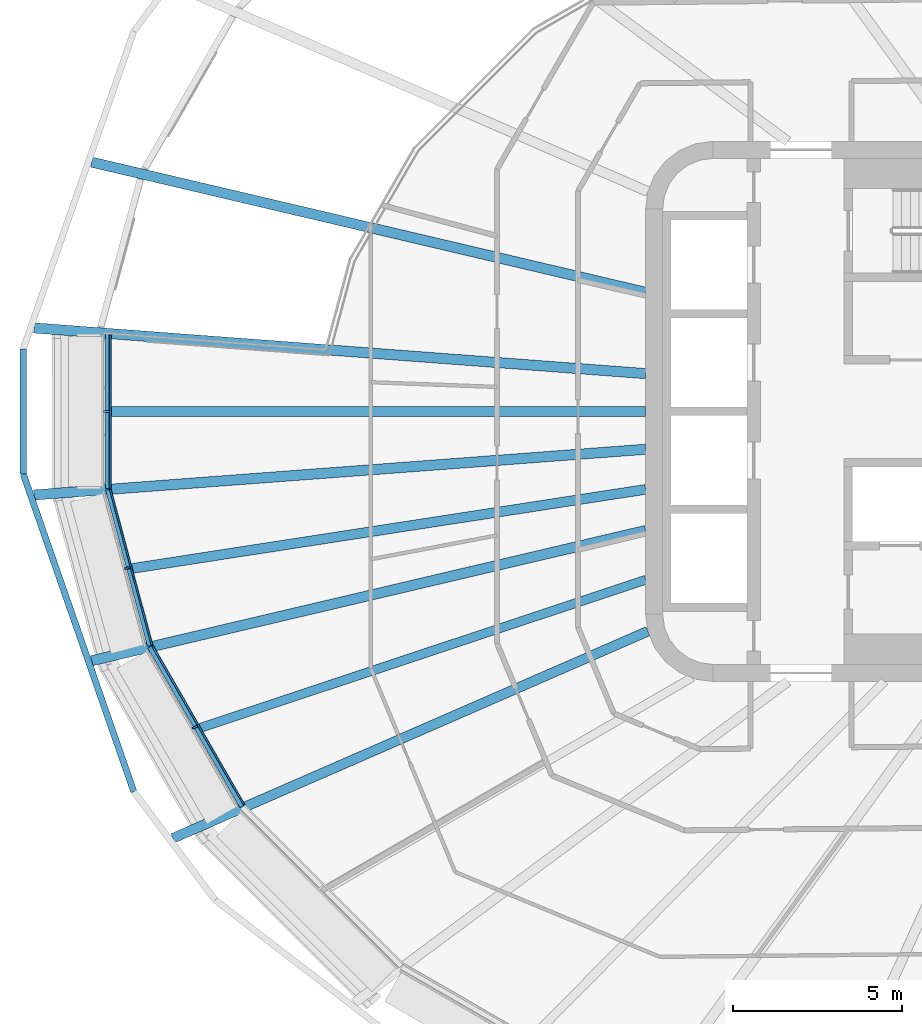
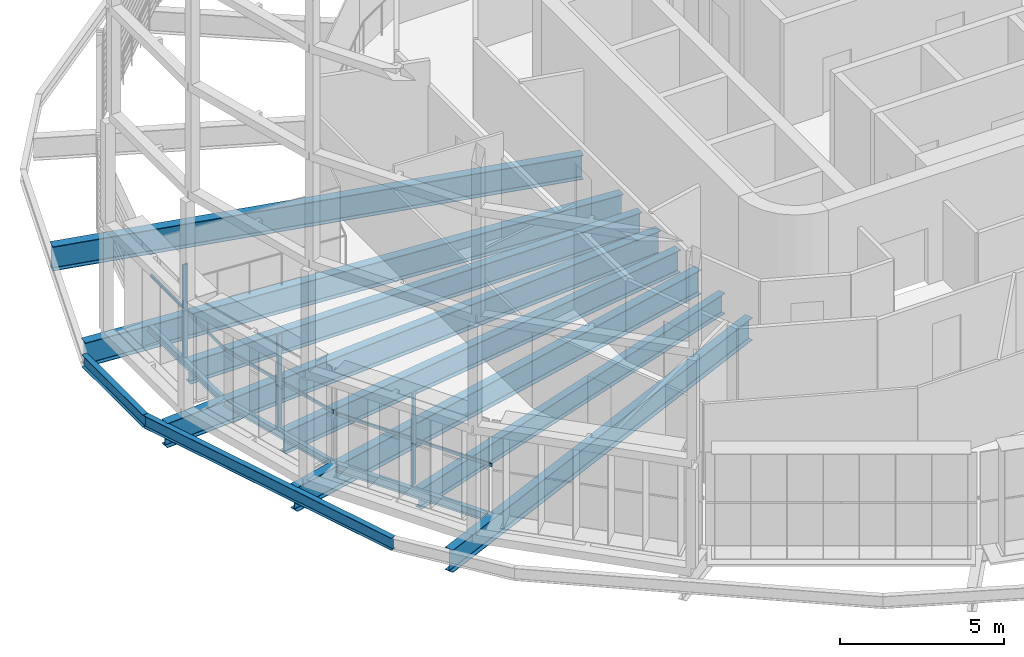
# One storey, part 2 of 22: 13 beams, 6 members, 3 elements without a shape of their own.
"""IFC4 building model written with IfcOpenShell, lengths in metres."""

from ifc_helpers import new_model, si_unit, direction, frame, origin, origin_2d, place, context, subcontext, project, spatial, rectangle, i_section, extrude, material, layer, layer_set, material_profile, profile_set, type_object, element, aggregate, save


model = new_model("IFC4")

# Units and contexts
model_context = context("Model", 3, precision=1e-05, world=origin(), true_north=direction((0.0, 1.0)))
body_context = subcontext(model_context, "Body", "Model", "MODEL_VIEW")
ifc_project = project(units=[si_unit("LENGTHUNIT", "METRE"), si_unit("AREAUNIT", "SQUARE_METRE"), si_unit("VOLUMEUNIT", "CUBIC_METRE"), si_unit("PLANEANGLEUNIT", "RADIAN"), si_unit("MASSUNIT", "GRAM", prefix="KILO")], contexts=[model_context])

# Site, building, storey
site_placement = place(None, origin())
site = spatial("IfcSite", under=ifc_project, at=site_placement, CompositionType="ELEMENT")
building_placement = place(site_placement, origin())
building = spatial("IfcBuilding", under=site, at=building_placement, Name="Sahrelin Media Tower", CompositionType="ELEMENT")
storey_placement = place(building_placement, frame((0.0, 0.0, 177.60009765625)))
storey = spatial("IfcBuildingStorey", under=building, at=storey_placement, Name="L37", CompositionType="ELEMENT", Elevation=177.60009765625)

# Beams
ifc_material_1 = material(Name="Steel S355", Category="steel")
ifc_material_profile_1 = material_profile(ifc_material_1, i_section(OverallWidth=0.14599609375, OverallDepth=0.25146484375, WebThickness=0.006103515625, FlangeThickness=0.008544921875, FilletRadius=0.007568359375, at=origin_2d()), Name="UB 254x146x31")
ifc_profile_set_1 = profile_set([ifc_material_profile_1], Name="Steel S355")
beam_type_1 = type_object("IfcBeamType", Name="Edge beam EB1", PredefinedType="BEAM", material=ifc_profile_set_1)
beam_1_placement = place(storey_placement, frame((-29.688720703125, -6.94091796875, -0.27587890625), z_axis=(-0.258830389301, 0.965922786549, 0.0), x_axis=(-0.965922786549, -0.258830389301, 0.0)))
element("IfcBeam", 1, at=beam_1_placement, inside=storey, type_object=beam_type_1, Name="Edge beam L37-12", PredefinedType="BEAM", context=body_context, shape_type="SweptSolid", body=[
    extrude(i_section(OverallWidth=0.14599609375, OverallDepth=0.25146484375, WebThickness=0.006103515625, FlangeThickness=0.008544921875, FilletRadius=0.007568359375, at=origin_2d()), origin(), (0.0, 0.0, 1.0), 4.787841796875),
])
beam_2_placement = place(storey_placement, frame((-30.931640625, -2.28759765625, -0.27587890625), z_axis=(0.0, 1.0, 0.0), x_axis=(-1.0, 0.0, 0.0)))
element("IfcBeam", 2, at=beam_2_placement, inside=storey, type_object=beam_type_1, Name="Edge beam L37-13", PredefinedType="BEAM", context=body_context, shape_type="SweptSolid", body=[
    extrude(i_section(OverallWidth=0.14599609375, OverallDepth=0.25146484375, WebThickness=0.006103515625, FlangeThickness=0.008544921875, FilletRadius=0.007568359375, at=origin_2d()), origin(), (0.0, 0.0, 1.0), 4.5751953125),
])
ifc_material_profile_2 = material_profile(ifc_material_1, i_section(OverallWidth=0.1650390625, OverallDepth=0.303466796875, WebThickness=0.006103515625, FlangeThickness=0.01025390625, FilletRadius=0.0087890625, at=origin_2d()), Name="UB 305x165x40")
ifc_profile_set_2 = profile_set([ifc_material_profile_2], Name="Steel S355")
beam_type_2 = type_object("IfcBeamType", Name="Edge beam EB2", PredefinedType="BEAM", material=ifc_profile_set_2)
beam_3_placement = place(storey_placement, frame((-26.948974609375, -11.693603515625, -0.3017578125), z_axis=(-0.500021926039, 0.86601274441, 0.0), x_axis=(-0.86601274441, -0.500021926039, 0.0)))
element("IfcBeam", 3, at=beam_3_placement, inside=storey, type_object=beam_type_2, Name="Edge beam L37-11", PredefinedType="BEAM", context=body_context, shape_type="SweptSolid", body=[
    extrude(i_section(OverallWidth=0.1650390625, OverallDepth=0.303466796875, WebThickness=0.006103515625, FlangeThickness=0.01025390625, FilletRadius=0.0087890625, at=origin_2d()), origin(), (0.0, 0.0, 1.0), 5.457275390625),
])

# Curtain wall, member
ifc_material_2 = material(Name="Champagne anodised aluminium 6063-T6", Category="aluminium")
ifc_layer = layer(ifc_material_2, 0.14990234375)
ifc_layer_set = layer_set([ifc_layer], Name="Tower ribbon curtain wall")
curtain_wall_type = type_object("IfcCurtainWallType", Name="Tower ribbon curtain wall", PredefinedType="NOTDEFINED", material=ifc_layer_set)
curtain_wall_1_placement = place(storey_placement, frame((-31.081787109375, 0.0, 0.0), z_axis=(0.0, 0.0, 1.0), x_axis=(1.0, 0.0, 0.0)))
curtain_wall_1 = element("IfcCurtainWall", 4, at=curtain_wall_1_placement, inside=storey, type_object=curtain_wall_type, Name="L37:CW:L37-12", PredefinedType="NOTDEFINED")
ifc_material_profile_3 = material_profile(ifc_material_2, rectangle(XDim=0.06005859375, YDim=0.175048828125, at=origin_2d()), Name="Mullion 60x175")
ifc_profile_set_3 = profile_set([ifc_material_profile_3], Name="Champagne anodised aluminium 6063-T6")
member_type_1 = type_object("IfcMemberType", Name="Mullion 60x175 CW1B", PredefinedType="MULLION", material=ifc_profile_set_3)
member_1_placement = place(storey_placement, frame((-30.97412109375, 0.0, 0.0), z_axis=(0.0, 0.0, 1.0), x_axis=(0.0, -1.0, 0.0)))
member_1 = element("IfcMember", 5, at=member_1_placement, type_object=member_type_1, Name="L37:CWM:L37-12", PredefinedType="MULLION", context=body_context, shape_type="SweptSolid", body=[
    extrude(rectangle(XDim=0.06005859375, YDim=0.175048828125, at=origin_2d()), origin(), (0.0, 0.0, 1.0), 3.448486328125),
])

curtain_wall_2_placement = place(storey_placement, frame((-30.453369140625, -4.667236328125, 0.0), z_axis=(0.0, 0.0, 1.0), x_axis=(1.0, 0.0, 0.0)))
curtain_wall_2 = element("IfcCurtainWall", 6, at=curtain_wall_2_placement, inside=storey, type_object=curtain_wall_type, Name="L37:CW:L37-13", PredefinedType="NOTDEFINED")
member_2_placement = place(storey_placement, frame((-30.349365234375, -4.639404296875, 0.0), z_axis=(0.0, 0.0, 1.0), x_axis=(0.258808929937, -0.965928536583, 0.0)))
member_2 = element("IfcMember", 7, at=member_2_placement, type_object=member_type_1, Name="L37:CWM:L37-13", PredefinedType="MULLION", context=body_context, shape_type="SweptSolid", body=[
    extrude(rectangle(XDim=0.06005859375, YDim=0.175048828125, at=origin_2d()), origin(), (0.0, 0.0, 1.0), 3.448486328125),
])

curtain_wall_3_placement = place(storey_placement, frame((-28.443359375, -9.405517578125, 0.0), z_axis=(0.0, 0.0, 1.0), x_axis=(1.0, 0.0, 0.0)))
curtain_wall_3 = element("IfcCurtainWall", 8, at=curtain_wall_3_placement, inside=storey, type_object=curtain_wall_type, Name="L37:CW:L37-14", PredefinedType="NOTDEFINED")
member_3_placement = place(storey_placement, frame((-28.35009765625, -9.351806640625, 0.0), z_axis=(0.0, 0.0, 1.0), x_axis=(0.500004534492, -0.866022785779, 0.0)))
member_3 = element("IfcMember", 9, at=member_3_placement, type_object=member_type_1, Name="L37:CWM:L37-14", PredefinedType="MULLION", context=body_context, shape_type="SweptSolid", body=[
    extrude(rectangle(XDim=0.06005859375, YDim=0.175048828125, at=origin_2d()), origin(), (0.0, 0.0, 1.0), 3.448486328125),
])

# Beams
ifc_material_profile_4 = material_profile(ifc_material_1, i_section(OverallWidth=0.291748046875, OverallDepth=0.8349609375, WebThickness=0.013916015625, FlangeThickness=0.018798828125, FilletRadius=0.017822265625, at=origin_2d()), Name="UB 838x292x176")
ifc_profile_set_4 = profile_set([ifc_material_profile_4], Name="Steel S355")
beam_type_3 = type_object("IfcBeamType", Name="Radial primary beam PB10", PredefinedType="BEAM", material=ifc_profile_set_4)
beam_4_placement = place(storey_placement, frame((-14.932861328125, -6.510498046875, -0.567626953125), z_axis=(-0.916667884618, -0.399649833367, 0.0), x_axis=(0.399649833367, -0.916667884618, 0.0)))
element("IfcBeam", 10, at=beam_4_placement, inside=storey, type_object=beam_type_3, Name="Radial beam L37-15", PredefinedType="BEAM", context=body_context, shape_type="SweptSolid", body=[
    extrude(i_section(OverallWidth=0.291748046875, OverallDepth=0.8349609375, WebThickness=0.013916015625, FlangeThickness=0.018798828125, FilletRadius=0.017822265625, at=origin_2d()), origin(), (0.0, 0.0, 1.0), 15.353515625),
])
ifc_material_profile_5 = material_profile(ifc_material_1, i_section(OverallWidth=0.30322265625, OverallDepth=0.903076171875, WebThickness=0.01513671875, FlangeThickness=0.020263671875, FilletRadius=0.01904296875, at=origin_2d()), Name="UB 914x305x201")
ifc_profile_set_5 = profile_set([ifc_material_profile_5], Name="Steel S355")
beam_type_4 = type_object("IfcBeamType", Name="Radial primary beam PB11", PredefinedType="BEAM", material=ifc_profile_set_5)
beam_5_placement = place(storey_placement, frame((-15.0, 3.527099609375, -0.6015625), z_axis=(-0.973454949191, 0.228878705642, 0.0), x_axis=(-0.228878705642, -0.973454949191, 0.0)))
element("IfcBeam", 11, at=beam_5_placement, inside=storey, type_object=beam_type_4, Name="Radial beam L37-11", PredefinedType="BEAM", context=body_context, shape_type="SweptSolid", body=[
    extrude(i_section(OverallWidth=0.30322265625, OverallDepth=0.903076171875, WebThickness=0.01513671875, FlangeThickness=0.020263671875, FilletRadius=0.01904296875, at=origin_2d()), origin(), (0.0, 0.0, 1.0), 16.85888671875),
])
for number, where, z_axis, x_axis, name in (
    (12, (-15.0, 1.12060546875, -0.6015625), (-0.997222109228, 0.074485333229, 0.0), (-0.074485333229, -0.997222109228, 0.0), "Radial beam L37-12"),
    (13, (-15.0, -1.12060546875, -0.6015625), (-0.997222109228, -0.074485333229, 0.0), (0.074485333229, -0.997222109228, 0.0), "Radial beam L37-13"),
):
    element("IfcBeam", number, at=place(storey_placement, frame(where, z_axis=z_axis, x_axis=x_axis)), inside=storey, type_object=beam_type_4, Name=name, PredefinedType="BEAM", context=body_context, shape_type="SweptSolid", body=[
        extrude(i_section(OverallWidth=0.30322265625, OverallDepth=0.903076171875, WebThickness=0.01513671875, FlangeThickness=0.020263671875, FilletRadius=0.01904296875, at=origin_2d()), origin(), (0.0, 0.0, 1.0), 18.171630859375),
    ])
beam_6_placement = place(storey_placement, frame((-15.0, -3.527099609375, -0.6015625), z_axis=(-0.973454949191, -0.228878705642, 0.0), x_axis=(0.228878705642, -0.973454949191, 0.0)))
element("IfcBeam", 14, at=beam_6_placement, inside=storey, type_object=beam_type_4, Name="Radial beam L37-14", PredefinedType="BEAM", context=body_context, shape_type="SweptSolid", body=[
    extrude(i_section(OverallWidth=0.30322265625, OverallDepth=0.903076171875, WebThickness=0.01513671875, FlangeThickness=0.020263671875, FilletRadius=0.01904296875, at=origin_2d()), origin(), (0.0, 0.0, 1.0), 16.85888671875),
])
ifc_material_profile_6 = material_profile(ifc_material_1, i_section(OverallWidth=0.291748046875, OverallDepth=0.8349609375, WebThickness=0.013916015625, FlangeThickness=0.018798828125, FilletRadius=0.017822265625, at=origin_2d()), Name="UB 838x292x176")
ifc_profile_set_6 = profile_set([ifc_material_profile_6], Name="Steel S355")
beam_type_5 = type_object("IfcBeamType", Name="Radial secondary beam SB10", PredefinedType="BEAM", material=ifc_profile_set_6)
beam_7_placement = place(storey_placement, frame((-15.0, 0.0, -0.567626953125), z_axis=(-1.0, 0.0, 0.0), x_axis=(0.0, -1.0, 0.0)))
element("IfcBeam", 15, at=beam_7_placement, inside=storey, type_object=beam_type_5, Name="Secondary beam L37-08", PredefinedType="BEAM", context=body_context, shape_type="SweptSolid", body=[
    extrude(i_section(OverallWidth=0.291748046875, OverallDepth=0.8349609375, WebThickness=0.013916015625, FlangeThickness=0.018798828125, FilletRadius=0.017822265625, at=origin_2d()), origin(), (0.0, 0.0, 1.0), 15.858642578125),
])
beam_8_placement = place(storey_placement, frame((-15.0, -2.30908203125, -0.567626953125), z_axis=(-0.988354469589, -0.152169124475, 0.0), x_axis=(0.152169124475, -0.988354469589, 0.0)))
element("IfcBeam", 16, at=beam_8_placement, inside=storey, type_object=beam_type_5, Name="Secondary beam L37-09", PredefinedType="BEAM", context=body_context, shape_type="SweptSolid", body=[
    extrude(i_section(OverallWidth=0.291748046875, OverallDepth=0.8349609375, WebThickness=0.013916015625, FlangeThickness=0.018798828125, FilletRadius=0.017822265625, at=origin_2d()), origin(), (0.0, 0.0, 1.0), 15.405517578125),
])
ifc_material_profile_7 = material_profile(ifc_material_1, i_section(OverallWidth=0.26513671875, OverallDepth=0.75390625, WebThickness=0.0126953125, FlangeThickness=0.017578125, FilletRadius=0.0166015625, at=origin_2d()), Name="UB 762x267x147")
ifc_profile_set_7 = profile_set([ifc_material_profile_7], Name="Steel S355")
beam_type_6 = type_object("IfcBeamType", Name="Radial secondary beam SB9", PredefinedType="BEAM", material=ifc_profile_set_7)
beam_9_placement = place(storey_placement, frame((-15.0, -4.988037109375, -0.527099609375), z_axis=(-0.948909587567, -0.315548086072, 0.0), x_axis=(0.315548086072, -0.948909587567, 0.0)))
element("IfcBeam", 17, at=beam_9_placement, inside=storey, type_object=beam_type_6, Name="Secondary beam L37-10", PredefinedType="BEAM", context=body_context, shape_type="SweptSolid", body=[
    extrude(i_section(OverallWidth=0.26513671875, OverallDepth=0.75390625, WebThickness=0.0126953125, FlangeThickness=0.017578125, FilletRadius=0.0166015625, at=origin_2d()), origin(), (0.0, 0.0, 1.0), 13.902587890625),
])
ifc_material_profile_8 = material_profile(ifc_material_1, i_section(OverallWidth=0.1904296875, OverallDepth=0.45703125, WebThickness=0.009033203125, FlangeThickness=0.014404296875, FilletRadius=0.01025390625, at=origin_2d()), Name="UB 457x191x74")
ifc_profile_set_8 = profile_set([ifc_material_profile_8], Name="Steel S355")
beam_type_7 = type_object("IfcBeamType", Name="Tie chord TC5", PredefinedType="BEAM", material=ifc_profile_set_8)
beam_10_placement = place(storey_placement, frame((-33.43896484375, 1.850830078125, -0.378662109375), z_axis=(0.0, -1.0, 0.0), x_axis=(1.0, 0.0, 0.0)))
element("IfcBeam", 18, at=beam_10_placement, inside=storey, type_object=beam_type_7, Name="Tie chord L37-12", PredefinedType="BEAM", context=body_context, shape_type="SweptSolid", body=[
    extrude(i_section(OverallWidth=0.1904296875, OverallDepth=0.45703125, WebThickness=0.009033203125, FlangeThickness=0.014404296875, FilletRadius=0.01025390625, at=origin_2d()), origin(), (0.0, 0.0, 1.0), 3.70166015625),
])
beam_11_placement = place(storey_placement, frame((-33.43896484375, -1.850830078125, -0.378662109375), z_axis=(0.328762818369, -0.944412520702, 0.0), x_axis=(0.944412520702, 0.328762818369, 0.0)))
element("IfcBeam", 19, at=beam_11_placement, inside=storey, type_object=beam_type_7, Name="Tie chord L37-13", PredefinedType="BEAM", context=body_context, shape_type="SweptSolid", body=[
    extrude(i_section(OverallWidth=0.1904296875, OverallDepth=0.45703125, WebThickness=0.009033203125, FlangeThickness=0.014404296875, FilletRadius=0.01025390625, at=origin_2d()), origin(), (0.0, 0.0, 1.0), 9.969482421875),
])

# Member
ifc_material_profile_9 = material_profile(ifc_material_2, rectangle(XDim=0.050048828125, YDim=0.110107421875, at=origin_2d()), Name="Transom 50x110")
ifc_profile_set_9 = profile_set([ifc_material_profile_9], Name="Champagne anodised aluminium 6063-T6")
member_type_2 = type_object("IfcMemberType", Name="Transom 50x110 CW1B", PredefinedType="USERDEFINED", material=ifc_profile_set_9)
member_4_placement = place(storey_placement, frame((-30.86181640625, 2.271728515625, 1.599853515625), z_axis=(0.0, -1.0, 0.0), x_axis=(1.0, 0.0, 0.0)))
member_4 = element("IfcMember", 20, at=member_4_placement, type_object=member_type_2, Name="L37:CWT:L37-12", ObjectType="TRANSOM", PredefinedType="USERDEFINED", context=body_context, shape_type="SweptSolid", body=[
    extrude(rectangle(XDim=0.050048828125, YDim=0.110107421875, at=origin_2d()), origin(), (0.0, 0.0, 1.0), 4.54345703125),
])

aggregate(curtain_wall_1, [member_1, member_4])

member_5_placement = place(storey_placement, frame((-30.856201171875, -2.313232421875, 1.599853515625), z_axis=(0.258793383452, -0.965932701942, 0.0), x_axis=(0.965932701942, 0.258793383452, 0.0)))
member_5 = element("IfcMember", 21, at=member_5_placement, type_object=member_type_2, Name="L37:CWT:L37-13", ObjectType="TRANSOM", PredefinedType="USERDEFINED", context=body_context, shape_type="SweptSolid", body=[
    extrude(rectangle(XDim=0.050048828125, YDim=0.110107421875, at=origin_2d()), origin(), (0.0, 0.0, 1.0), 4.756591796875),
])

aggregate(curtain_wall_2, [member_2, member_5])

member_6_placement = place(storey_placement, frame((-29.609375, -6.946044921875, 1.599853515625), z_axis=(0.500024950497, -0.866010998129, 0.0), x_axis=(0.866010998129, 0.500024950497, 0.0)))
member_6 = element("IfcMember", 22, at=member_6_placement, type_object=member_type_2, Name="L37:CWT:L37-14", ObjectType="TRANSOM", PredefinedType="USERDEFINED", context=body_context, shape_type="SweptSolid", body=[
    extrude(rectangle(XDim=0.050048828125, YDim=0.110107421875, at=origin_2d()), origin(), (0.0, 0.0, 1.0), 5.426025390625),
])

aggregate(curtain_wall_3, [member_3, member_6])

save(model, "model.ifc")
